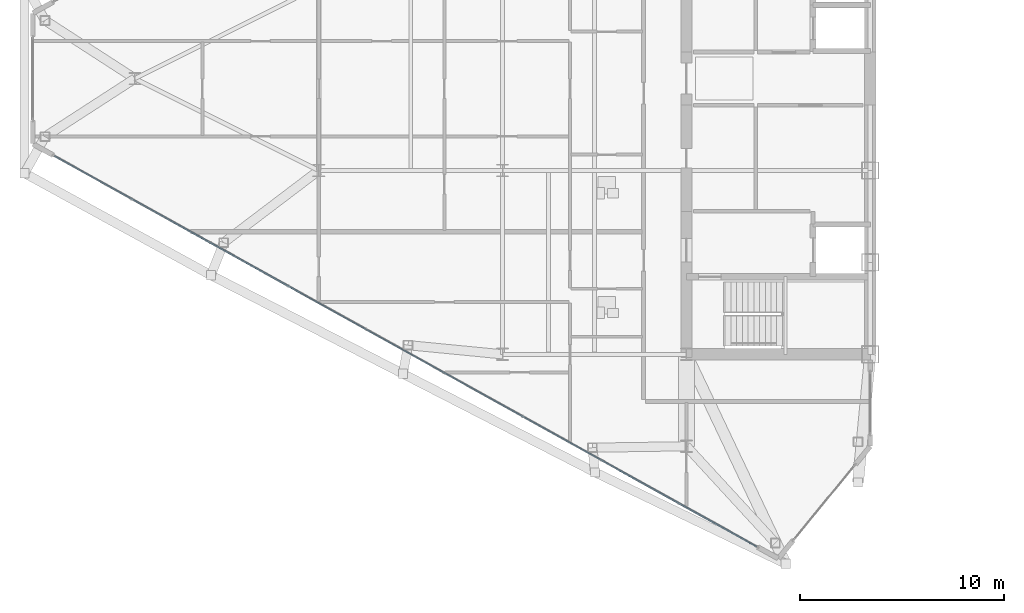
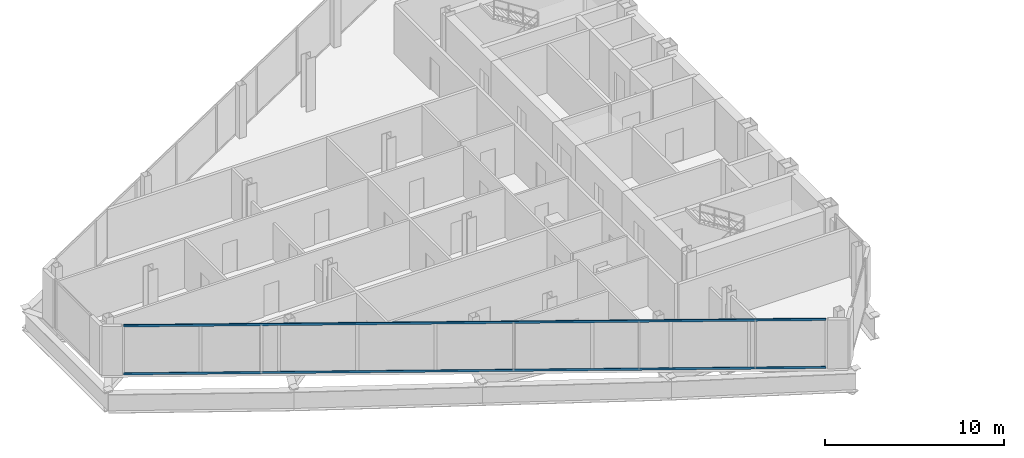
# One storey, part 4 of 28: 2 members, 1 element without a shape of its own.
"""IFC4 building model written with IfcOpenShell, lengths in metres."""

from ifc_helpers import new_model, si_unit, direction, frame, origin, origin_2d, place, context, subcontext, project, spatial, rectangle, extrude, source, transform, mapped, material, layer, layer_set, material_profile, profile_set, type_object, type_shapes, element, aggregate, save


model = new_model("IFC4")

# Units and contexts
model_context = context("Model", 3, precision=1e-05, world=origin(), true_north=direction((0.0, 1.0)))
body_context = subcontext(model_context, "Body", "Model", "MODEL_VIEW")
ifc_project = project(units=[si_unit("LENGTHUNIT", "METRE"), si_unit("AREAUNIT", "SQUARE_METRE"), si_unit("VOLUMEUNIT", "CUBIC_METRE"), si_unit("PLANEANGLEUNIT", "RADIAN"), si_unit("MASSUNIT", "GRAM", prefix="KILO")], contexts=[model_context])

# Site, building, storey
site_placement = place(None, origin())
site = spatial("IfcSite", under=ifc_project, at=site_placement, CompositionType="ELEMENT")
building_placement = place(site_placement, origin())
building = spatial("IfcBuilding", under=site, at=building_placement, Name="Seokmaru Belvedere", CompositionType="ELEMENT")
storey_placement = place(building_placement, frame((0.0, 0.0, 158.39990234375)))
storey = spatial("IfcBuildingStorey", under=building, at=storey_placement, Name="L42", CompositionType="ELEMENT", Elevation=158.39990234375)

# Curtain wall, members
ifc_material_1 = material(Name="Bronze Triple Insulating Glass", Category="glass")
ifc_layer = layer(ifc_material_1, 0.179931640625)
ifc_layer_set = layer_set([ifc_layer], Name="Bronze Triple Insulating Glass")
curtain_wall_type = type_object("IfcCurtainWallType", Name="High-Rise Wind-Corner Curtain Wall System CW-5", PredefinedType="NOTDEFINED", material=ifc_layer_set)
curtain_wall_placement = place(storey_placement, origin())
curtain_wall = element("IfcCurtainWall", 1, at=curtain_wall_placement, inside=storey, type_object=curtain_wall_type, Name="L42 Curtain Wall WF5", PredefinedType="NOTDEFINED")
ifc_material_2 = material(Name="Anodised Bronze Aluminium", Category="aluminium")
ifc_material_profile = material_profile(ifc_material_2, rectangle(XDim=0.06494140625, YDim=0.14990234375, at=origin_2d()), Name="CW-T-65x150")
ifc_profile_set = profile_set([ifc_material_profile], Name="Anodised Bronze Aluminium")
member_type = type_object("IfcMemberType", Name="Bronze Unitised Transom 65x150", PredefinedType="USERDEFINED", material=ifc_profile_set)
shared_shape = source(origin(), body_context, "Body", "SweptSolid", [
    extrude(rectangle(XDim=0.06494140625, YDim=0.14990234375, at=origin_2d()), origin(), (0.0, 0.0, 1.0), 39.33544921875),
])
type_shapes(member_type, [shared_shape])
member_1_placement = place(storey_placement, frame((-67.438232421875, -3.79052734375, 0.03271484375), z_axis=(0.873932045133, -0.486048125693, 0.0), x_axis=(0.486048125693, 0.873932045133, 0.0)))
member_1 = element("IfcMember", 2, at=member_1_placement, type_object=member_type, Name="CW:L42:WF5 Continuous Transom 1", ObjectType="TRANSOM", PredefinedType="USERDEFINED", context=body_context, shape_type="MappedRepresentation", body=[
    mapped(shared_shape, transform((0.0, 0.0, 0.0), scale=1.0)),
])
member_2_placement = place(storey_placement, frame((-67.438232421875, -3.79052734375, 3.3076171875), z_axis=(0.873932045133, -0.486048125693, 0.0), x_axis=(0.486048125693, 0.873932045133, 0.0)))
member_2 = element("IfcMember", 3, at=member_2_placement, type_object=member_type, Name="CW:L42:WF5 Continuous Transom 2", ObjectType="TRANSOM", PredefinedType="USERDEFINED", context=body_context, shape_type="MappedRepresentation", body=[
    mapped(shared_shape, transform((0.0, 0.0, 0.0), scale=1.0)),
])
aggregate(curtain_wall, [member_1, member_2])

save(model, "model.ifc")
